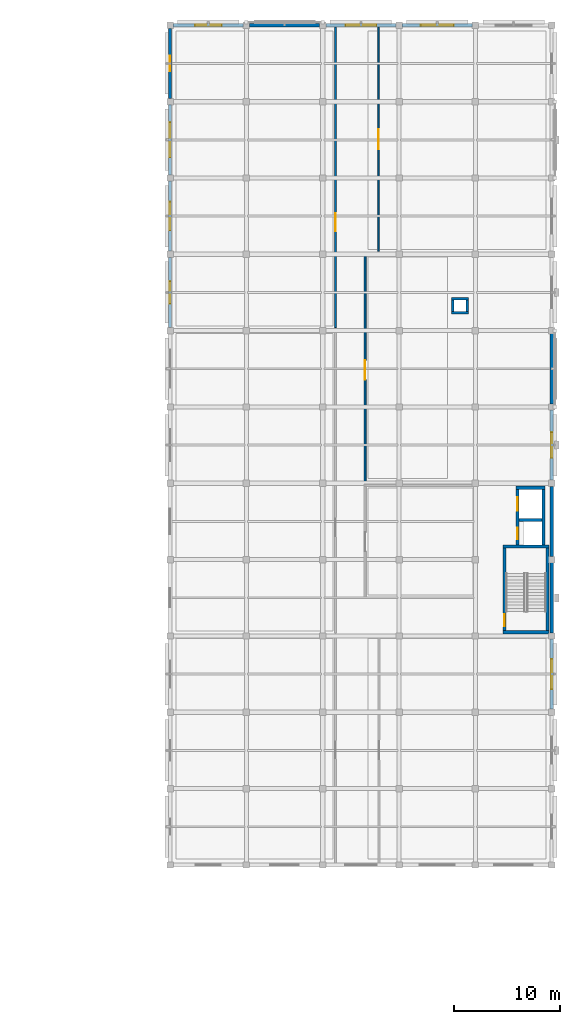
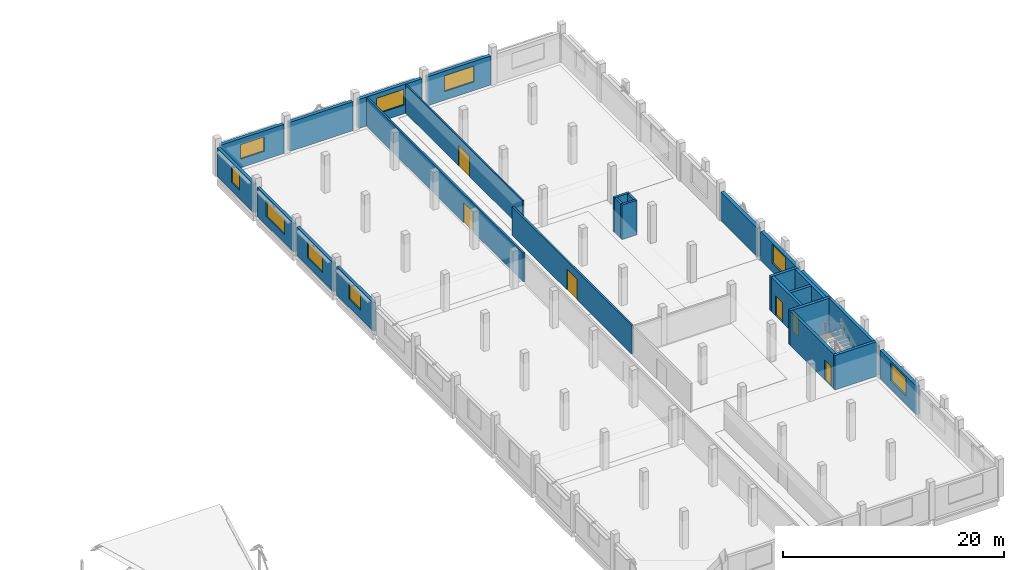
# One storey, part 38 of 51: 28 walls, 9 windows, 6 doors, 15 openings.
"""IFC4 building model written with IfcOpenShell, lengths in metres."""

from ifc_helpers import new_model, si_unit, direction, frame, frame_2d, origin, place, context, subcontext, project, spatial, rectangle, extrude, material, layer, layer_set, type_object, element, fill, save


model = new_model("IFC4")

# Units and contexts
model_context = context("Model", 3, precision=1e-05, world=origin(), true_north=direction((0.0, 1.0)))
body_context = subcontext(model_context, "Body", "Model", "MODEL_VIEW")
ifc_project = project(units=[si_unit("LENGTHUNIT", "METRE"), si_unit("AREAUNIT", "SQUARE_METRE"), si_unit("VOLUMEUNIT", "CUBIC_METRE"), si_unit("PLANEANGLEUNIT", "RADIAN"), si_unit("MASSUNIT", "GRAM", prefix="KILO")], contexts=[model_context])

# Site, building, storey
site_placement = place(None, origin())
site = spatial("IfcSite", under=ifc_project, at=site_placement, CompositionType="ELEMENT")
building_placement = place(site_placement, origin())
building = spatial("IfcBuilding", under=site, at=building_placement, Name="Valkovuoma Quantum and Materials Research Institute", CompositionType="ELEMENT")
storey_placement = place(building_placement, frame((0.0, 0.0, 17.280029296875)))
storey = spatial("IfcBuildingStorey", under=building, at=storey_placement, Name="L04", CompositionType="ELEMENT", Elevation=17.280029296875)

# Walls
ifc_material_1 = material(Name="Concrete C40/50", Category="concrete")
ifc_layer_1 = layer(ifc_material_1, 0.300048828125)
ifc_layer_set_1 = layer_set([ifc_layer_1], Name="Concrete C40/50")
wall_type_1 = type_object("IfcWallType", Name="Wall-W-COR300", PredefinedType="SHEAR", material=ifc_layer_set_1)
for number, where, z_axis, x_axis, name in (
    (1, (161.0, 57.949951171875, 0.0), (0.0, 0.0, 1.0), (1.0, 0.0, 0.0), "L04 core wall 0239"),
    (2, (161.0, 66.050048828125, 0.0), (0.0, 0.0, 1.0), (1.0, 0.0, 0.0), "L04 core wall 0240"),
):
    element("IfcWall", number, at=place(storey_placement, frame(where, z_axis=z_axis, x_axis=x_axis)), inside=storey, type_object=wall_type_1, Name=name, PredefinedType="SHEAR", context=body_context, shape_type="SweptSolid", body=[
        extrude(rectangle(XDim=4.35009765625, YDim=0.300048828125, at=frame_2d((2.175048828125, 0.0))), origin(), (0.0, 0.0, 1.0), 3.81005859375),
    ])

# Wall, opening, door
wall_1_placement = place(storey_placement, frame((161.14990234375, 58.10009765625, 0.0), z_axis=(0.0, 0.0, 1.0), x_axis=(0.0, 1.0, 0.0)))
wall_1 = element("IfcWall", 3, at=wall_1_placement, inside=storey, type_object=wall_type_1, Name="L04 core wall 0241", PredefinedType="SHEAR", context=body_context, shape_type="SweptSolid", body=[
    extrude(rectangle(XDim=7.7998046875, YDim=0.300048828125, at=frame_2d((3.89990234375, 0.0))), origin(), (0.0, 0.0, 1.0), 3.81005859375),
])
opening_1_placement = place(wall_1_placement, frame((0.39990234375, 0.0, 0.0)))
opening_1 = element("IfcOpeningElement", 4, at=opening_1_placement, cuts=wall_1, Name="Opening SD-039", PredefinedType="OPENING", context=body_context, shape_type="SweptSolid", body=[
    extrude(rectangle(XDim=1.14990234375, YDim=2.199951171875, at=frame_2d((0.574951171875, 1.10009765625))), frame((0.0, 0.16015625, 0.0), z_axis=(0.0, -1.0, 0.0), x_axis=(1.0, 0.0, 0.0)), (0.0, 0.0, 1.0), 0.320068359375),
])
ifc_material_2 = material(Name="Powder-coated steel and acoustic timber door assembly", Category="steel")
door_type_1 = type_object("IfcDoorType", Name="Door-DR-ST60", OperationType="NOTDEFINED", PredefinedType="DOOR", material=ifc_material_2)
door_1_placement = place(opening_1_placement, frame((1.14990234375, 0.0, 0.0), z_axis=(0.0, 0.0, 1.0), x_axis=(-1.0, 0.0, 0.0)))
door_1 = element("IfcDoor", 5, at=door_1_placement, inside=storey, type_object=door_type_1, Name="L04 ST-3 fire door", OperationType="SINGLE_SWING_RIGHT", OverallHeight=2.199951171875, OverallWidth=1.14990234375, PredefinedType="DOOR", context=body_context, shape_type="SweptSolid", body=[
    extrude(rectangle(XDim=1.14990234375, YDim=2.199951171875, at=frame_2d((0.574951171875, 1.10009765625))), frame((0.0, 0.02490234375, 0.0), z_axis=(0.0, -1.0, 0.0), x_axis=(1.0, 0.0, 0.0)), (0.0, 0.0, 1.0), 0.050048828125),
])
fill(opening_1, door_1)

# Walls
wall_2_placement = place(storey_placement, frame((165.199951171875, 58.10009765625, 0.0), z_axis=(0.0, 0.0, 1.0), x_axis=(0.0, 1.0, 0.0)))
element("IfcWall", 6, at=wall_2_placement, inside=storey, type_object=wall_type_1, Name="L04 core wall 0242", PredefinedType="SHEAR", context=body_context, shape_type="SweptSolid", body=[
    extrude(rectangle(XDim=7.7998046875, YDim=0.300048828125, at=frame_2d((3.89990234375, 0.0))), origin(), (0.0, 0.0, 1.0), 3.81005859375),
])
wall_3_placement = place(storey_placement, frame((162.219970703125, 71.580078125, 0.0), z_axis=(0.0, 0.0, 1.0), x_axis=(1.0, 0.0, 0.0)))
element("IfcWall", 7, at=wall_3_placement, inside=storey, type_object=wall_type_1, Name="L04 core wall 0243", PredefinedType="SHEAR", context=body_context, shape_type="SweptSolid", body=[
    extrude(rectangle(XDim=2.760009765625, YDim=0.300048828125, at=frame_2d((1.3798828125, 0.0))), origin(), (0.0, 0.0, 1.0), 3.81005859375),
])
wall_4_placement = place(storey_placement, frame((162.52001953125, 68.52490234375, 0.0), z_axis=(0.0, 0.0, 1.0), x_axis=(1.0, 0.0, 0.0)))
element("IfcWall", 8, at=wall_4_placement, inside=storey, type_object=wall_type_1, Name="L04 core wall 0244", PredefinedType="SHEAR", context=body_context, shape_type="SweptSolid", body=[
    extrude(rectangle(XDim=2.159912109375, YDim=0.300048828125, at=frame_2d((1.080078125, 0.0))), origin(), (0.0, 0.0, 1.0), 3.81005859375),
])

# Wall, openings, doors
wall_5_placement = place(storey_placement, frame((162.3701171875, 66.199951171875, 0.0), z_axis=(0.0, 0.0, 1.0), x_axis=(0.0, 1.0, 0.0)))
wall_5 = element("IfcWall", 9, at=wall_5_placement, inside=storey, type_object=wall_type_1, Name="L04 core wall 0245", PredefinedType="SHEAR", context=body_context, shape_type="SweptSolid", body=[
    extrude(rectangle(XDim=5.22998046875, YDim=0.300048828125, at=frame_2d((2.614990234375, 0.0))), origin(), (0.0, 0.0, 1.0), 3.81005859375),
])
opening_2_placement = place(wall_5_placement, frame((0.5, 0.0, 0.0)))
opening_2 = element("IfcOpeningElement", 10, at=opening_2_placement, cuts=wall_5, Name="Opening LD-044", PredefinedType="OPENING", context=body_context, shape_type="SweptSolid", body=[
    extrude(rectangle(XDim=1.10009765625, YDim=2.199951171875, at=frame_2d((0.550048828125, 1.10009765625))), frame((0.0, 0.16015625, 0.0), z_axis=(0.0, -1.0, 0.0), x_axis=(1.0, 0.0, 0.0)), (0.0, 0.0, 1.0), 0.320068359375),
])
opening_3_placement = place(wall_5_placement, frame((3.199951171875, 0.0, 0.0)))
opening_3 = element("IfcOpeningElement", 11, at=opening_3_placement, cuts=wall_5, Name="Opening LD-045", PredefinedType="OPENING", context=body_context, shape_type="SweptSolid", body=[
    extrude(rectangle(XDim=1.300048828125, YDim=2.199951171875, at=frame_2d((0.64990234375, 1.10009765625))), frame((0.0, 0.16015625, 0.0), z_axis=(0.0, -1.0, 0.0), x_axis=(1.0, 0.0, 0.0)), (0.0, 0.0, 1.0), 0.320068359375),
])
ifc_material_3 = material(Name="Powder-coated steel and acoustic timber door assembly", Category="steel")
door_type_2 = type_object("IfcDoorType", Name="Door-DR-LD01", OperationType="NOTDEFINED", PredefinedType="DOOR", material=ifc_material_3)
door_2_placement = place(opening_2_placement, origin())
door_2 = element("IfcDoor", 12, at=door_2_placement, inside=storey, type_object=door_type_2, Name="L04 LIFT-P3 sliding landing door", OperationType="SLIDING_TO_LEFT", OverallHeight=2.199951171875, OverallWidth=1.10009765625, PredefinedType="DOOR", context=body_context, shape_type="SweptSolid", body=[
    extrude(rectangle(XDim=1.10009765625, YDim=2.199951171875, at=frame_2d((0.550048828125, 1.10009765625))), frame((0.0, 0.02490234375, 0.0), z_axis=(0.0, -1.0, 0.0), x_axis=(1.0, 0.0, 0.0)), (0.0, 0.0, 1.0), 0.050048828125),
])
fill(opening_2, door_2)
ifc_material_4 = material(Name="Powder-coated steel and acoustic timber door assembly", Category="steel")
door_type_3 = type_object("IfcDoorType", Name="Door-DR-LD02", OperationType="NOTDEFINED", PredefinedType="DOOR", material=ifc_material_4)
door_3_placement = place(opening_3_placement, origin())
door_3 = element("IfcDoor", 13, at=door_3_placement, inside=storey, type_object=door_type_3, Name="L04 LIFT-G1 sliding landing door", OperationType="SLIDING_TO_LEFT", OverallHeight=2.199951171875, OverallWidth=1.300048828125, PredefinedType="DOOR", context=body_context, shape_type="SweptSolid", body=[
    extrude(rectangle(XDim=1.300048828125, YDim=2.199951171875, at=frame_2d((0.64990234375, 1.10009765625))), frame((0.0, 0.02490234375, 0.0), z_axis=(0.0, -1.0, 0.0), x_axis=(1.0, 0.0, 0.0)), (0.0, 0.0, 1.0), 0.050048828125),
])
fill(opening_3, door_3)

# Wall
wall_6_placement = place(storey_placement, frame((164.830078125, 66.199951171875, 0.0), z_axis=(0.0, 0.0, 1.0), x_axis=(0.0, 1.0, 0.0)))
element("IfcWall", 14, at=wall_6_placement, inside=storey, type_object=wall_type_1, Name="L04 core wall 0246", PredefinedType="SHEAR", context=body_context, shape_type="SweptSolid", body=[
    extrude(rectangle(XDim=5.22998046875, YDim=0.300048828125, at=frame_2d((2.614990234375, 0.0))), origin(), (0.0, 0.0, 1.0), 3.81005859375),
])

# Wall, opening, window
ifc_material_5 = material(Name="Precast concrete C40/50", Category="concrete")
ifc_layer_2 = layer(ifc_material_5, 0.300048828125)
ifc_layer_set_2 = layer_set([ifc_layer_2], Name="Precast concrete C40/50")
wall_type_2 = type_object("IfcWallType", Name="Wall-W-EXT300", PredefinedType="SOLIDWALL", material=ifc_layer_set_2)
wall_7_placement = place(storey_placement, frame((129.60009765625, 86.68994140625, 0.0), z_axis=(0.0, 0.0, 1.0), x_axis=(0.0, 1.0, 0.0)))
wall_7 = element("IfcWall", 15, at=wall_7_placement, inside=storey, type_object=wall_type_2, Name="L04 exterior wall 0324", PredefinedType="SOLIDWALL", context=body_context, shape_type="SweptSolid", body=[
    extrude(rectangle(XDim=6.6201171875, YDim=0.300048828125, at=frame_2d((3.31005859375, 0.0))), origin(), (0.0, 0.0, 1.0), 3.159912109375),
])
opening_4_placement = place(wall_7_placement, frame((2.260009765625, 0.0, 0.949951171875)))
opening_4 = element("IfcOpeningElement", 16, at=opening_4_placement, cuts=wall_7, Name="Opening WN-WL09", PredefinedType="OPENING", context=body_context, shape_type="SweptSolid", body=[
    extrude(rectangle(XDim=2.10009765625, YDim=1.800048828125, at=frame_2d((1.050048828125, 0.89990234375))), frame((0.0, 0.16015625, 0.0), z_axis=(0.0, -1.0, 0.0), x_axis=(1.0, 0.0, 0.0)), (0.0, 0.0, 1.0), 0.320068359375),
])
ifc_material_6 = material(Name="Triple low-E argon glazing in thermally broken aluminium frame", Category="aluminium")
window_type_1 = type_object("IfcWindowType", Name="Win-WN-WL09", PartitioningType="SINGLE_PANEL", PredefinedType="WINDOW", material=ifc_material_6)
window_1_placement = place(opening_4_placement, origin())
window_1 = element("IfcWindow", 17, at=window_1_placement, inside=storey, type_object=window_type_1, Name="L04 window 0330", OverallHeight=1.800048828125, OverallWidth=2.10009765625, PartitioningType="SINGLE_PANEL", PredefinedType="WINDOW", context=body_context, shape_type="SweptSolid", body=[
    extrude(rectangle(XDim=2.10009765625, YDim=1.800048828125, at=frame_2d((1.050048828125, 0.89990234375))), frame((0.0, 0.030029296875, 0.0), z_axis=(0.0, -1.0, 0.0), x_axis=(1.0, 0.0, 0.0)), (0.0, 0.0, 1.0), 0.06005859375),
])
fill(opening_4, window_1)

wall_8_placement = place(storey_placement, frame((129.60009765625, 93.889892578125, 0.0), z_axis=(0.0, 0.0, 1.0), x_axis=(0.0, 1.0, 0.0)))
wall_8 = element("IfcWall", 18, at=wall_8_placement, inside=storey, type_object=wall_type_2, Name="L04 exterior wall 0325", PredefinedType="SOLIDWALL", context=body_context, shape_type="SweptSolid", body=[
    extrude(rectangle(XDim=6.6201171875, YDim=0.300048828125, at=frame_2d((3.31005859375, 0.0))), origin(), (0.0, 0.0, 1.0), 3.159912109375),
])
opening_5_placement = place(wall_8_placement, frame((1.9599609375, 0.0, 0.949951171875)))
opening_5 = element("IfcOpeningElement", 19, at=opening_5_placement, cuts=wall_8, Name="Opening WN-WL11", PredefinedType="OPENING", context=body_context, shape_type="SweptSolid", body=[
    extrude(rectangle(XDim=2.699951171875, YDim=1.800048828125, at=frame_2d((1.35009765625, 0.89990234375))), frame((0.0, 0.16015625, 0.0), z_axis=(0.0, -1.0, 0.0), x_axis=(1.0, 0.0, 0.0)), (0.0, 0.0, 1.0), 0.320068359375),
])
ifc_material_7 = material(Name="Triple low-E argon glazing in thermally broken aluminium frame", Category="aluminium")
window_type_2 = type_object("IfcWindowType", Name="Win-WN-WL11", PartitioningType="SINGLE_PANEL", PredefinedType="WINDOW", material=ifc_material_7)
window_2_placement = place(opening_5_placement, origin())
window_2 = element("IfcWindow", 20, at=window_2_placement, inside=storey, type_object=window_type_2, Name="L04 window 0331", OverallHeight=1.800048828125, OverallWidth=2.699951171875, PartitioningType="SINGLE_PANEL", PredefinedType="WINDOW", context=body_context, shape_type="SweptSolid", body=[
    extrude(rectangle(XDim=2.699951171875, YDim=1.800048828125, at=frame_2d((1.35009765625, 0.89990234375))), frame((0.0, 0.030029296875, 0.0), z_axis=(0.0, -1.0, 0.0), x_axis=(1.0, 0.0, 0.0)), (0.0, 0.0, 1.0), 0.06005859375),
])
fill(opening_5, window_2)

wall_9_placement = place(storey_placement, frame((129.60009765625, 101.090087890625, 0.0), z_axis=(0.0, 0.0, 1.0), x_axis=(0.0, 1.0, 0.0)))
wall_9 = element("IfcWall", 21, at=wall_9_placement, inside=storey, type_object=wall_type_2, Name="L04 exterior wall 0326", PredefinedType="SOLIDWALL", context=body_context, shape_type="SweptSolid", body=[
    extrude(rectangle(XDim=6.619873046875, YDim=0.300048828125, at=frame_2d((3.31005859375, 0.0))), origin(), (0.0, 0.0, 1.0), 3.159912109375),
])
opening_6_placement = place(wall_9_placement, frame((1.659912109375, 0.0, 0.949951171875)))
opening_6 = element("IfcOpeningElement", 22, at=opening_6_placement, cuts=wall_9, Name="Opening WN-WL13", PredefinedType="OPENING", context=body_context, shape_type="SweptSolid", body=[
    extrude(rectangle(XDim=3.300048828125, YDim=1.800048828125, at=frame_2d((1.64990234375, 0.89990234375))), frame((0.0, 0.16015625, 0.0), z_axis=(0.0, -1.0, 0.0), x_axis=(1.0, 0.0, 0.0)), (0.0, 0.0, 1.0), 0.320068359375),
])
ifc_material_8 = material(Name="Triple low-E argon glazing in thermally broken aluminium frame", Category="aluminium")
window_type_3 = type_object("IfcWindowType", Name="Win-WN-WL13", PartitioningType="SINGLE_PANEL", PredefinedType="WINDOW", material=ifc_material_8)
window_3_placement = place(opening_6_placement, origin())
window_3 = element("IfcWindow", 23, at=window_3_placement, inside=storey, type_object=window_type_3, Name="L04 window 0332", OverallHeight=1.800048828125, OverallWidth=3.300048828125, PartitioningType="SINGLE_PANEL", PredefinedType="WINDOW", context=body_context, shape_type="SweptSolid", body=[
    extrude(rectangle(XDim=3.300048828125, YDim=1.800048828125, at=frame_2d((1.64990234375, 0.89990234375))), frame((0.0, 0.030029296875, 0.0), z_axis=(0.0, -1.0, 0.0), x_axis=(1.0, 0.0, 0.0)), (0.0, 0.0, 1.0), 0.06005859375),
])
fill(opening_6, window_3)

wall_10_placement = place(storey_placement, frame((129.60009765625, 108.2900390625, 0.0), z_axis=(0.0, 0.0, 1.0), x_axis=(0.0, 1.0, 0.0)))
wall_10 = element("IfcWall", 24, at=wall_10_placement, inside=storey, type_object=wall_type_2, Name="L04 exterior wall 0327", PredefinedType="SOLIDWALL", context=body_context, shape_type="SweptSolid", body=[
    extrude(rectangle(XDim=6.619873046875, YDim=0.300048828125, at=frame_2d((3.31005859375, 0.0))), origin(), (0.0, 0.0, 1.0), 3.159912109375),
])
opening_7_placement = place(wall_10_placement, frame((2.56005859375, 0.0, 0.949951171875)))
opening_7 = element("IfcOpeningElement", 25, at=opening_7_placement, cuts=wall_10, Name="Opening WN-WL15", PredefinedType="OPENING", context=body_context, shape_type="SweptSolid", body=[
    extrude(rectangle(XDim=1.5, YDim=1.800048828125, at=frame_2d((0.75, 0.89990234375))), frame((0.0, 0.16015625, 0.0), z_axis=(0.0, -1.0, 0.0), x_axis=(1.0, 0.0, 0.0)), (0.0, 0.0, 1.0), 0.320068359375),
])
ifc_material_9 = material(Name="Triple low-E argon glazing in thermally broken aluminium frame", Category="aluminium")
window_type_4 = type_object("IfcWindowType", Name="Win-WN-WL15", PartitioningType="SINGLE_PANEL", PredefinedType="WINDOW", material=ifc_material_9)
window_4_placement = place(opening_7_placement, origin())
window_4 = element("IfcWindow", 26, at=window_4_placement, inside=storey, type_object=window_type_4, Name="L04 window 0333", OverallHeight=1.800048828125, OverallWidth=1.5, PartitioningType="SINGLE_PANEL", PredefinedType="WINDOW", context=body_context, shape_type="SweptSolid", body=[
    extrude(rectangle(XDim=1.5, YDim=1.800048828125, at=frame_2d((0.75, 0.89990234375))), frame((0.0, 0.030029296875, 0.0), z_axis=(0.0, -1.0, 0.0), x_axis=(1.0, 0.0, 0.0)), (0.0, 0.0, 1.0), 0.06005859375),
])
fill(opening_7, window_4)

ifc_material_10 = material(Name="Precast concrete C40/50", Category="concrete")
ifc_layer_3 = layer(ifc_material_10, 0.340087890625)
ifc_layer_set_3 = layer_set([ifc_layer_3], Name="Precast concrete C40/50")
wall_type_3 = type_object("IfcWallType", Name="Wall-W-EXT340", PredefinedType="SOLIDWALL", material=ifc_layer_set_3)
wall_11_placement = place(storey_placement, frame((129.889892578125, 115.199951171875, 0.0), z_axis=(0.0, 0.0, 1.0), x_axis=(1.0, 0.0, 0.0)))
wall_11 = element("IfcWall", 27, at=wall_11_placement, inside=storey, type_object=wall_type_3, Name="L04 exterior wall 0312", PredefinedType="SOLIDWALL", context=body_context, shape_type="SweptSolid", body=[
    extrude(rectangle(XDim=6.6201171875, YDim=0.340087890625, at=frame_2d((3.31005859375, 0.0))), origin(), (0.0, 0.0, 1.0), 3.2099609375),
])
opening_8_placement = place(wall_11_placement, frame((2.06005859375, 0.0, 0.949951171875)))
opening_8 = element("IfcOpeningElement", 28, at=opening_8_placement, cuts=wall_11, Name="Opening WN-EX15", PredefinedType="OPENING", context=body_context, shape_type="SweptSolid", body=[
    extrude(rectangle(XDim=2.5, YDim=1.60009765625, at=frame_2d((1.25, 0.800048828125))), frame((0.0, 0.18017578125, 0.0), z_axis=(0.0, -1.0, 0.0), x_axis=(1.0, 0.0, 0.0)), (0.0, 0.0, 1.0), 0.360107421875),
])
ifc_material_11 = material(Name="Triple low-E argon glazing in thermally broken aluminium frame", Category="aluminium")
window_type_5 = type_object("IfcWindowType", Name="Win-WN-EX15", PartitioningType="SINGLE_PANEL", PredefinedType="WINDOW", material=ifc_material_11)
window_5_placement = place(opening_8_placement, origin())
window_5 = element("IfcWindow", 29, at=window_5_placement, inside=storey, type_object=window_type_5, Name="L04 window 0319", OverallHeight=1.60009765625, OverallWidth=2.5, PartitioningType="SINGLE_PANEL", PredefinedType="WINDOW", context=body_context, shape_type="SweptSolid", body=[
    extrude(rectangle(XDim=2.5, YDim=1.60009765625, at=frame_2d((1.25, 0.800048828125))), frame((0.0, 0.030029296875, 0.0), z_axis=(0.0, -1.0, 0.0), x_axis=(1.0, 0.0, 0.0)), (0.0, 0.0, 1.0), 0.06005859375),
])
fill(opening_8, window_5)

# Wall
wall_12_placement = place(storey_placement, frame((137.090087890625, 115.199951171875, 0.0), z_axis=(0.0, 0.0, 1.0), x_axis=(1.0, 0.0, 0.0)))
element("IfcWall", 30, at=wall_12_placement, inside=storey, type_object=wall_type_3, Name="L04 exterior wall 0313", PredefinedType="SOLIDWALL", context=body_context, shape_type="SweptSolid", body=[
    extrude(rectangle(XDim=6.619873046875, YDim=0.340087890625, at=frame_2d((3.31005859375, 0.0))), origin(), (0.0, 0.0, 1.0), 3.2099609375),
])

# Wall, opening, window
wall_13_placement = place(storey_placement, frame((144.2900390625, 115.199951171875, 0.0), z_axis=(0.0, 0.0, 1.0), x_axis=(1.0, 0.0, 0.0)))
wall_13 = element("IfcWall", 31, at=wall_13_placement, inside=storey, type_object=wall_type_3, Name="L04 exterior wall 0314", PredefinedType="SOLIDWALL", context=body_context, shape_type="SweptSolid", body=[
    extrude(rectangle(XDim=6.619873046875, YDim=0.340087890625, at=frame_2d((3.31005859375, 0.0))), origin(), (0.0, 0.0, 1.0), 3.2099609375),
])
opening_9_placement = place(wall_13_placement, frame((1.860107421875, 0.0, 0.949951171875)))
opening_9 = element("IfcOpeningElement", 32, at=opening_9_placement, cuts=wall_13, Name="Opening WN-EX17", PredefinedType="OPENING", context=body_context, shape_type="SweptSolid", body=[
    extrude(rectangle(XDim=2.89990234375, YDim=1.75, at=frame_2d((1.449951171875, 0.875))), frame((0.0, 0.18017578125, 0.0), z_axis=(0.0, -1.0, 0.0), x_axis=(1.0, 0.0, 0.0)), (0.0, 0.0, 1.0), 0.360107421875),
])
ifc_material_12 = material(Name="Triple low-E argon glazing in thermally broken aluminium frame", Category="aluminium")
window_type_6 = type_object("IfcWindowType", Name="Win-WN-EX17", PartitioningType="SINGLE_PANEL", PredefinedType="WINDOW", material=ifc_material_12)
window_6_placement = place(opening_9_placement, origin())
window_6 = element("IfcWindow", 33, at=window_6_placement, inside=storey, type_object=window_type_6, Name="L04 window 0320", OverallHeight=1.75, OverallWidth=2.89990234375, PartitioningType="SINGLE_PANEL", PredefinedType="WINDOW", context=body_context, shape_type="SweptSolid", body=[
    extrude(rectangle(XDim=2.89990234375, YDim=1.75, at=frame_2d((1.449951171875, 0.875))), frame((0.0, 0.030029296875, 0.0), z_axis=(0.0, -1.0, 0.0), x_axis=(1.0, 0.0, 0.0)), (0.0, 0.0, 1.0), 0.06005859375),
])
fill(opening_9, window_6)

wall_14_placement = place(storey_placement, frame((151.489990234375, 115.199951171875, 0.0), z_axis=(0.0, 0.0, 1.0), x_axis=(1.0, 0.0, 0.0)))
wall_14 = element("IfcWall", 34, at=wall_14_placement, inside=storey, type_object=wall_type_3, Name="L04 exterior wall 0315", PredefinedType="SOLIDWALL", context=body_context, shape_type="SweptSolid", body=[
    extrude(rectangle(XDim=6.6201171875, YDim=0.340087890625, at=frame_2d((3.31005859375, 0.0))), origin(), (0.0, 0.0, 1.0), 3.2099609375),
])
opening_10_placement = place(wall_14_placement, frame((1.760009765625, 0.0, 0.949951171875)))
opening_10 = element("IfcOpeningElement", 35, at=opening_10_placement, cuts=wall_14, Name="Opening WN-EX18", PredefinedType="OPENING", context=body_context, shape_type="SweptSolid", body=[
    extrude(rectangle(XDim=3.10009765625, YDim=1.75, at=frame_2d((1.550048828125, 0.875))), frame((0.0, 0.18017578125, 0.0), z_axis=(0.0, -1.0, 0.0), x_axis=(1.0, 0.0, 0.0)), (0.0, 0.0, 1.0), 0.360107421875),
])
ifc_material_13 = material(Name="Triple low-E argon glazing in thermally broken aluminium frame", Category="aluminium")
window_type_7 = type_object("IfcWindowType", Name="Win-WN-EX18", PartitioningType="SINGLE_PANEL", PredefinedType="WINDOW", material=ifc_material_13)
window_7_placement = place(opening_10_placement, origin())
window_7 = element("IfcWindow", 36, at=window_7_placement, inside=storey, type_object=window_type_7, Name="L04 window 0321", OverallHeight=1.75, OverallWidth=3.10009765625, PartitioningType="SINGLE_PANEL", PredefinedType="WINDOW", context=body_context, shape_type="SweptSolid", body=[
    extrude(rectangle(XDim=3.10009765625, YDim=1.75, at=frame_2d((1.550048828125, 0.875))), frame((0.0, 0.030029296875, 0.0), z_axis=(0.0, -1.0, 0.0), x_axis=(1.0, 0.0, 0.0)), (0.0, 0.0, 1.0), 0.06005859375),
])
fill(opening_10, window_7)

ifc_material_14 = material(Name="Precast concrete C40/50", Category="concrete")
ifc_layer_4 = layer(ifc_material_14, 0.360107421875)
ifc_layer_set_4 = layer_set([ifc_layer_4], Name="Precast concrete C40/50")
wall_type_4 = type_object("IfcWallType", Name="Wall-W-EXT360", PredefinedType="SOLIDWALL", material=ifc_layer_set_4)
wall_15_placement = place(storey_placement, frame((165.60009765625, 50.68994140625, 0.0), z_axis=(0.0, 0.0, 1.0), x_axis=(0.0, 1.0, 0.0)))
wall_15 = element("IfcWall", 37, at=wall_15_placement, inside=storey, type_object=wall_type_4, Name="L04 exterior wall 0303", PredefinedType="SOLIDWALL", context=body_context, shape_type="SweptSolid", body=[
    extrude(rectangle(XDim=6.6201171875, YDim=0.360107421875, at=frame_2d((3.31005859375, 0.0))), origin(), (0.0, 0.0, 1.0), 3.159912109375),
])
opening_11_placement = place(wall_15_placement, frame((1.885009765625, 0.0, 0.949951171875)))
opening_11 = element("IfcOpeningElement", 38, at=opening_11_placement, cuts=wall_15, Name="Opening WN-WL20", PredefinedType="OPENING", context=body_context, shape_type="SweptSolid", body=[
    extrude(rectangle(XDim=2.85009765625, YDim=1.949951171875, at=frame_2d((1.425048828125, 0.97509765625))), frame((0.0, 0.18994140625, 0.0), z_axis=(0.0, -1.0, 0.0), x_axis=(1.0, 0.0, 0.0)), (0.0, 0.0, 1.0), 0.380126953125),
])
ifc_material_15 = material(Name="Triple low-E argon glazing in thermally broken aluminium frame", Category="aluminium")
window_type_8 = type_object("IfcWindowType", Name="Win-WN-WL20", PartitioningType="SINGLE_PANEL", PredefinedType="WINDOW", material=ifc_material_15)
window_8_placement = place(opening_11_placement, origin())
window_8 = element("IfcWindow", 39, at=window_8_placement, inside=storey, type_object=window_type_8, Name="L04 window 0314", OverallHeight=1.949951171875, OverallWidth=2.85009765625, PartitioningType="SINGLE_PANEL", PredefinedType="WINDOW", context=body_context, shape_type="SweptSolid", body=[
    extrude(rectangle(XDim=2.85009765625, YDim=1.949951171875, at=frame_2d((1.425048828125, 0.97509765625))), frame((0.0, 0.030029296875, 0.0), z_axis=(0.0, -1.0, 0.0), x_axis=(1.0, 0.0, 0.0)), (0.0, 0.0, 1.0), 0.06005859375),
])
fill(opening_11, window_8)

# Walls
wall_16_placement = place(storey_placement, frame((165.60009765625, 57.889892578125, 0.0), z_axis=(0.0, 0.0, 1.0), x_axis=(0.0, 1.0, 0.0)))
element("IfcWall", 40, at=wall_16_placement, inside=storey, type_object=wall_type_4, Name="L04 exterior wall 0304", PredefinedType="SOLIDWALL", context=body_context, shape_type="SweptSolid", body=[
    extrude(rectangle(XDim=6.6201171875, YDim=0.360107421875, at=frame_2d((3.31005859375, 0.0))), origin(), (0.0, 0.0, 1.0), 3.159912109375),
])
wall_17_placement = place(storey_placement, frame((165.60009765625, 65.090087890625, 0.0), z_axis=(0.0, 0.0, 1.0), x_axis=(0.0, 1.0, 0.0)))
element("IfcWall", 41, at=wall_17_placement, inside=storey, type_object=wall_type_4, Name="L04 exterior wall 0305", PredefinedType="SOLIDWALL", context=body_context, shape_type="SweptSolid", body=[
    extrude(rectangle(XDim=6.619873046875, YDim=0.360107421875, at=frame_2d((3.31005859375, 0.0))), origin(), (0.0, 0.0, 1.0), 3.159912109375),
])

# Wall, opening, window
wall_18_placement = place(storey_placement, frame((165.60009765625, 72.2900390625, 0.0), z_axis=(0.0, 0.0, 1.0), x_axis=(0.0, 1.0, 0.0)))
wall_18 = element("IfcWall", 42, at=wall_18_placement, inside=storey, type_object=wall_type_4, Name="L04 exterior wall 0306", PredefinedType="SOLIDWALL", context=body_context, shape_type="SweptSolid", body=[
    extrude(rectangle(XDim=6.619873046875, YDim=0.360107421875, at=frame_2d((3.31005859375, 0.0))), origin(), (0.0, 0.0, 1.0), 3.159912109375),
])
opening_12_placement = place(wall_18_placement, frame((2.110107421875, 0.0, 0.89990234375)))
opening_12 = element("IfcOpeningElement", 43, at=opening_12_placement, cuts=wall_18, Name="Opening WN-WL03", PredefinedType="OPENING", context=body_context, shape_type="SweptSolid", body=[
    extrude(rectangle(XDim=2.39990234375, YDim=2.10009765625, at=frame_2d((1.199951171875, 1.050048828125))), frame((0.0, 0.18994140625, 0.0), z_axis=(0.0, -1.0, 0.0), x_axis=(1.0, 0.0, 0.0)), (0.0, 0.0, 1.0), 0.380126953125),
])
ifc_material_16 = material(Name="Triple low-E argon glazing in thermally broken aluminium frame", Category="aluminium")
window_type_9 = type_object("IfcWindowType", Name="Win-WN-WL03", PartitioningType="SINGLE_PANEL", PredefinedType="WINDOW", material=ifc_material_16)
window_9_placement = place(opening_12_placement, origin())
window_9 = element("IfcWindow", 44, at=window_9_placement, inside=storey, type_object=window_type_9, Name="L04 window 0315", OverallHeight=2.10009765625, OverallWidth=2.39990234375, PartitioningType="SINGLE_PANEL", PredefinedType="WINDOW", context=body_context, shape_type="SweptSolid", body=[
    extrude(rectangle(XDim=2.39990234375, YDim=2.10009765625, at=frame_2d((1.199951171875, 1.050048828125))), frame((0.0, 0.030029296875, 0.0), z_axis=(0.0, -1.0, 0.0), x_axis=(1.0, 0.0, 0.0)), (0.0, 0.0, 1.0), 0.06005859375),
])
fill(opening_12, window_9)

# Wall
wall_19_placement = place(storey_placement, frame((165.60009765625, 79.489990234375, 0.0), z_axis=(0.0, 0.0, 1.0), x_axis=(0.0, 1.0, 0.0)))
element("IfcWall", 45, at=wall_19_placement, inside=storey, type_object=wall_type_4, Name="L04 exterior wall 0307", PredefinedType="SOLIDWALL", context=body_context, shape_type="SweptSolid", body=[
    extrude(rectangle(XDim=6.6201171875, YDim=0.360107421875, at=frame_2d((3.31005859375, 0.0))), origin(), (0.0, 0.0, 1.0), 3.159912109375),
])

# Wall, opening, door
ifc_material_17 = material(Name="Acoustic write-up studio partition", Category="masonry")
ifc_layer_5 = layer(ifc_material_17, 0.14990234375)
ifc_layer_set_5 = layer_set([ifc_layer_5], Name="Acoustic write-up studio partition")
wall_type_5 = type_object("IfcWallType", Name="Wall-W-PRT150", PredefinedType="PARTITIONING", material=ifc_layer_set_5)
wall_20_placement = place(storey_placement, frame((149.27001953125, 93.875, 0.0), z_axis=(0.0, 0.0, 1.0), x_axis=(0.0, 1.0, 0.0)))
wall_20 = element("IfcWall", 46, at=wall_20_placement, inside=storey, type_object=wall_type_5, Name="L04 partition 0200", PredefinedType="PARTITIONING", context=body_context, shape_type="SweptSolid", body=[
    extrude(rectangle(XDim=21.155029296875, YDim=0.14990234375, at=frame_2d((10.57763671875, 0.0))), origin(), (0.0, 0.0, 1.0), 3.159912109375),
])
opening_13_placement = place(wall_20_placement, frame((9.617431640625, 0.0, 0.0)))
opening_13 = element("IfcOpeningElement", 47, at=opening_13_placement, cuts=wall_20, Name="Opening ID-0144", PredefinedType="OPENING", context=body_context, shape_type="SweptSolid", body=[
    extrude(rectangle(XDim=1.919921875, YDim=2.280029296875, at=frame_2d((0.9599609375, 1.14013671875))), frame((0.0, 0.0849609375, 0.0), z_axis=(0.0, -1.0, 0.0), x_axis=(1.0, 0.0, 0.0)), (0.0, 0.0, 1.0), 0.169921875),
])
ifc_material_18 = material(Name="Powder-coated steel and acoustic timber door assembly", Category="steel")
door_type_4 = type_object("IfcDoorType", Name="Door-DR-RM20", OperationType="NOTDEFINED", PredefinedType="DOOR", material=ifc_material_18)
door_4_placement = place(opening_13_placement, origin())
door_4 = element("IfcDoor", 48, at=door_4_placement, inside=storey, type_object=door_type_4, Name="L04 room door 0144", OperationType="DOUBLE_DOOR_SINGLE_SWING", OverallHeight=2.280029296875, OverallWidth=1.919921875, PredefinedType="DOOR", context=body_context, shape_type="SweptSolid", body=[
    extrude(rectangle(XDim=1.919921875, YDim=2.280029296875, at=frame_2d((0.9599609375, 1.14013671875))), frame((0.0, 0.02490234375, 0.0), z_axis=(0.0, -1.0, 0.0), x_axis=(1.0, 0.0, 0.0)), (0.0, 0.0, 1.0), 0.050048828125),
])
fill(opening_13, door_4)

ifc_material_19 = material(Name="Laboratory fire-rated gypsum partition", Category="masonry")
ifc_layer_6 = layer(ifc_material_19, 0.179931640625)
ifc_layer_set_6 = layer_set([ifc_layer_6], Name="Laboratory fire-rated gypsum partition")
wall_type_6 = type_object("IfcWallType", Name="Wall-W-PRT180", PredefinedType="PARTITIONING", material=ifc_layer_set_6)
wall_21_placement = place(storey_placement, frame((145.199951171875, 86.68994140625, 0.0), z_axis=(0.0, 0.0, 1.0), x_axis=(0.0, 1.0, 0.0)))
wall_21 = element("IfcWall", 49, at=wall_21_placement, inside=storey, type_object=wall_type_6, Name="L04 partition 0195", PredefinedType="PARTITIONING", context=body_context, shape_type="SweptSolid", body=[
    extrude(rectangle(XDim=28.340087890625, YDim=0.179931640625, at=frame_2d((14.169921875, 0.0))), origin(), (0.0, 0.0, 1.0), 3.159912109375),
])
opening_14_placement = place(wall_21_placement, frame((9.0791015625, 0.0, 0.0)))
opening_14 = element("IfcOpeningElement", 50, at=opening_14_placement, cuts=wall_21, Name="Opening ID-0140", PredefinedType="OPENING", context=body_context, shape_type="SweptSolid", body=[
    extrude(rectangle(XDim=1.679931640625, YDim=2.219970703125, at=frame_2d((0.83984375, 1.10986328125))), frame((0.0, 0.10009765625, 0.0), z_axis=(0.0, -1.0, 0.0), x_axis=(1.0, 0.0, 0.0)), (0.0, 0.0, 1.0), 0.199951171875),
])
ifc_material_20 = material(Name="Powder-coated steel and acoustic timber door assembly", Category="steel")
door_type_5 = type_object("IfcDoorType", Name="Door-DR-RM16", OperationType="NOTDEFINED", PredefinedType="DOOR", material=ifc_material_20)
door_5_placement = place(opening_14_placement, origin())
door_5 = element("IfcDoor", 51, at=door_5_placement, inside=storey, type_object=door_type_5, Name="L04 room door 0140", OperationType="DOUBLE_DOOR_SINGLE_SWING", OverallHeight=2.219970703125, OverallWidth=1.679931640625, PredefinedType="DOOR", context=body_context, shape_type="SweptSolid", body=[
    extrude(rectangle(XDim=1.679931640625, YDim=2.219970703125, at=frame_2d((0.83984375, 1.10986328125))), frame((0.0, 0.02490234375, 0.0), z_axis=(0.0, -1.0, 0.0), x_axis=(1.0, 0.0, 0.0)), (0.0, 0.0, 1.0), 0.050048828125),
])
fill(opening_14, door_5)

wall_22_placement = place(storey_placement, frame((148.0, 71.889892578125, 0.0), z_axis=(0.0, 0.0, 1.0), x_axis=(0.0, 1.0, 0.0)))
wall_22 = element("IfcWall", 52, at=wall_22_placement, inside=storey, type_object=wall_type_6, Name="L04 partition 0199", PredefinedType="PARTITIONING", context=body_context, shape_type="SweptSolid", body=[
    extrude(rectangle(XDim=21.6201171875, YDim=0.179931640625, at=frame_2d((10.81005859375, 0.0))), origin(), (0.0, 0.0, 1.0), 3.159912109375),
])
opening_15_placement = place(wall_22_placement, frame((9.889892578125, 0.0, 0.0)))
opening_15 = element("IfcOpeningElement", 53, at=opening_15_placement, cuts=wall_22, Name="Opening ID-0143", PredefinedType="OPENING", context=body_context, shape_type="SweptSolid", body=[
    extrude(rectangle(XDim=1.840087890625, YDim=2.260009765625, at=frame_2d((0.919921875, 1.1298828125))), frame((0.0, 0.10009765625, 0.0), z_axis=(0.0, -1.0, 0.0), x_axis=(1.0, 0.0, 0.0)), (0.0, 0.0, 1.0), 0.199951171875),
])
ifc_material_21 = material(Name="Powder-coated steel and acoustic timber door assembly", Category="steel")
door_type_6 = type_object("IfcDoorType", Name="Door-DR-RM19", OperationType="NOTDEFINED", PredefinedType="DOOR", material=ifc_material_21)
door_6_placement = place(opening_15_placement, origin())
door_6 = element("IfcDoor", 54, at=door_6_placement, inside=storey, type_object=door_type_6, Name="L04 room door 0143", OperationType="DOUBLE_DOOR_SINGLE_SWING", OverallHeight=2.260009765625, OverallWidth=1.840087890625, PredefinedType="DOOR", context=body_context, shape_type="SweptSolid", body=[
    extrude(rectangle(XDim=1.840087890625, YDim=2.260009765625, at=frame_2d((0.919921875, 1.1298828125))), frame((0.0, 0.02490234375, 0.0), z_axis=(0.0, -1.0, 0.0), x_axis=(1.0, 0.0, 0.0)), (0.0, 0.0, 1.0), 0.050048828125),
])
fill(opening_15, door_6)

# Walls
ifc_material_22 = material(Name="Concrete C40/50", Category="concrete")
ifc_layer_7 = layer(ifc_material_22, 0.239990234375)
ifc_layer_set_7 = layer_set([ifc_layer_7], Name="Concrete C40/50")
wall_type_7 = type_object("IfcWallType", Name="Wall-W-SHF240", PredefinedType="SOLIDWALL", material=ifc_layer_set_7)
for number, where, z_axis, x_axis, name in (
    (55, (156.159912109375, 88.080078125, 0.0), (0.0, 0.0, 1.0), (1.0, 0.0, 0.0), "L04 core wall 0337"),
    (56, (156.159912109375, 89.419921875, 0.0), (0.0, 0.0, 1.0), (1.0, 0.0, 0.0), "L04 core wall 0338"),
):
    element("IfcWall", number, at=place(storey_placement, frame(where, z_axis=z_axis, x_axis=x_axis)), inside=storey, type_object=wall_type_7, Name=name, PredefinedType="SOLIDWALL", context=body_context, shape_type="SweptSolid", body=[
        extrude(rectangle(XDim=1.580078125, YDim=0.239990234375, at=frame_2d((0.7900390625, 0.0))), origin(), (0.0, 0.0, 1.0), 3.81005859375),
    ])
for number, where, z_axis, x_axis, name in (
    (57, (156.280029296875, 88.199951171875, 0.0), (0.0, 0.0, 1.0), (0.0, 1.0, 0.0), "L04 core wall 0339"),
    (58, (157.6201171875, 88.199951171875, 0.0), (0.0, 0.0, 1.0), (0.0, 1.0, 0.0), "L04 core wall 0340"),
):
    element("IfcWall", number, at=place(storey_placement, frame(where, z_axis=z_axis, x_axis=x_axis)), inside=storey, type_object=wall_type_7, Name=name, PredefinedType="SOLIDWALL", context=body_context, shape_type="SweptSolid", body=[
        extrude(rectangle(XDim=1.10009765625, YDim=0.239990234375, at=frame_2d((0.550048828125, 0.0))), origin(), (0.0, 0.0, 1.0), 3.81005859375),
    ])

save(model, "model.ifc")
